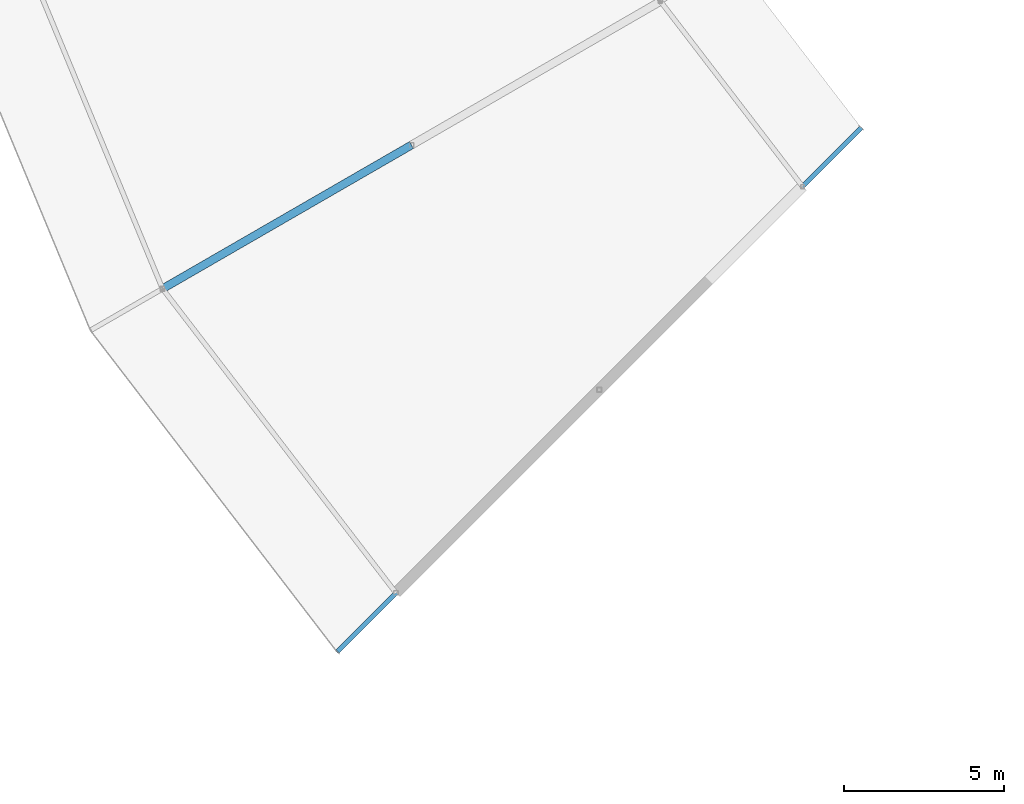
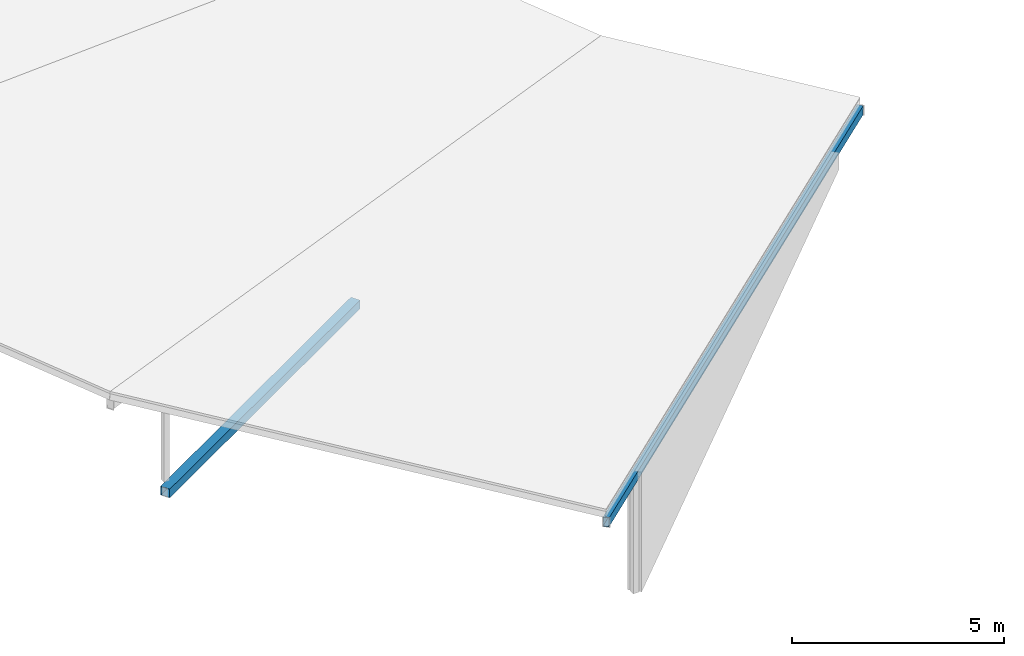
# One storey, part 5 of 70: 2 members.
"""IFC4 building model written with IfcOpenShell, lengths in metres."""

from ifc_helpers import new_model, si_unit, direction, frame, origin, origin_2d, place, context, subcontext, project, spatial, hollow_rectangle, extrude, material, material_profile, profile_set, type_object, element, save


model = new_model("IFC4")

# Units and contexts
model_context = context("Model", 3, precision=1e-05, world=origin(), true_north=direction((0.0, 1.0)))
body_context = subcontext(model_context, "Body", "Model", "MODEL_VIEW")
ifc_project = project(units=[si_unit("LENGTHUNIT", "METRE"), si_unit("AREAUNIT", "SQUARE_METRE"), si_unit("VOLUMEUNIT", "CUBIC_METRE"), si_unit("PLANEANGLEUNIT", "RADIAN"), si_unit("MASSUNIT", "GRAM", prefix="KILO")], contexts=[model_context])

# Site, building, storey
site_placement = place(None, origin())
site = spatial("IfcSite", under=ifc_project, at=site_placement, CompositionType="ELEMENT")
building_placement = place(site_placement, origin())
building = spatial("IfcBuilding", under=site, at=building_placement, Name="Vondelvale Polytechnic", CompositionType="ELEMENT")
storey_placement = place(building_placement, frame((0.0, 0.0, 22.199951171875)))
storey = spatial("IfcBuildingStorey", under=building, at=storey_placement, Name="L05", CompositionType="ELEMENT", Elevation=22.199951171875)

# Members
ifc_material = material(Name="Steel C350L0 (fy = 350 MPa)", Category="steel")
ifc_material_profile_1 = material_profile(ifc_material, hollow_rectangle(XDim=0.14990234375, YDim=0.25, WallThickness=0.006103515625, at=origin_2d()), Name="250x150x6.0RHS")
ifc_profile_set_1 = profile_set([ifc_material_profile_1], Name="Steel C350L0 (fy = 350 MPa)")
member_type_1 = type_object("IfcMemberType", Name="RAFTER RHS250", PredefinedType="RAFTER", material=ifc_profile_set_1)
member_1_placement = place(storey_placement, frame((67.634521484375, 37.634521484375, 3.765869140625), z_axis=(0.697808205371, 0.697808205371, -0.161639775528), x_axis=(-0.707106781187, 0.707106781187, 0.0)))
element("IfcMember", 1, at=member_1_placement, inside=storey, type_object=member_type_1, Name="Ring step inward-sloping rafter 14", PredefinedType="RAFTER", context=body_context, shape_type="SweptSolid", body=[
    extrude(hollow_rectangle(XDim=0.14990234375, YDim=0.25, WallThickness=0.006103515625, at=origin_2d()), origin(), (0.0, 0.0, 1.0), 23.50927734375),
])
ifc_material_profile_2 = material_profile(ifc_material, hollow_rectangle(XDim=0.25, YDim=0.25, WallThickness=0.009033203125, at=origin_2d()), Name="250x250x9.0SHS")
ifc_profile_set_2 = profile_set([ifc_material_profile_2], Name="Steel C350L0 (fy = 350 MPa)")
member_type_2 = type_object("IfcMemberType", Name="ROOF TRUSS CHORD 250SHS", PredefinedType="CHORD", material=ifc_profile_set_2)
member_2_placement = place(storey_placement, frame((69.95703125, 53.5, -0.349853515625), z_axis=(-0.866024315419, -0.5000018851, 0.0), x_axis=(0.5000018851, -0.866024315419, 0.0)))
element("IfcMember", 2, at=member_2_placement, inside=storey, type_object=member_type_2, Name="Ring workshop truss chord 14B", PredefinedType="CHORD", context=body_context, shape_type="SweptSolid", body=[
    extrude(hollow_rectangle(XDim=0.25, YDim=0.25, WallThickness=0.009033203125, at=origin_2d()), origin(), (0.0, 0.0, 1.0), 9.0),
])

save(model, "model.ifc")
